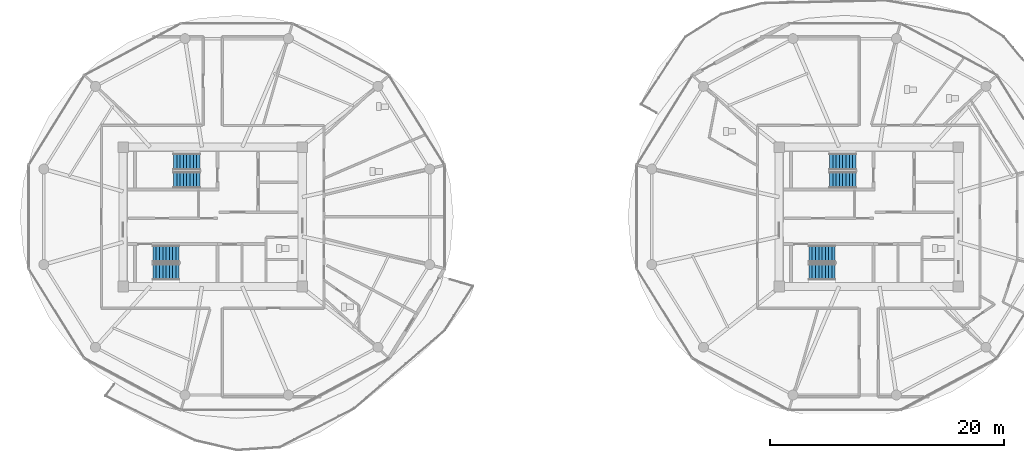
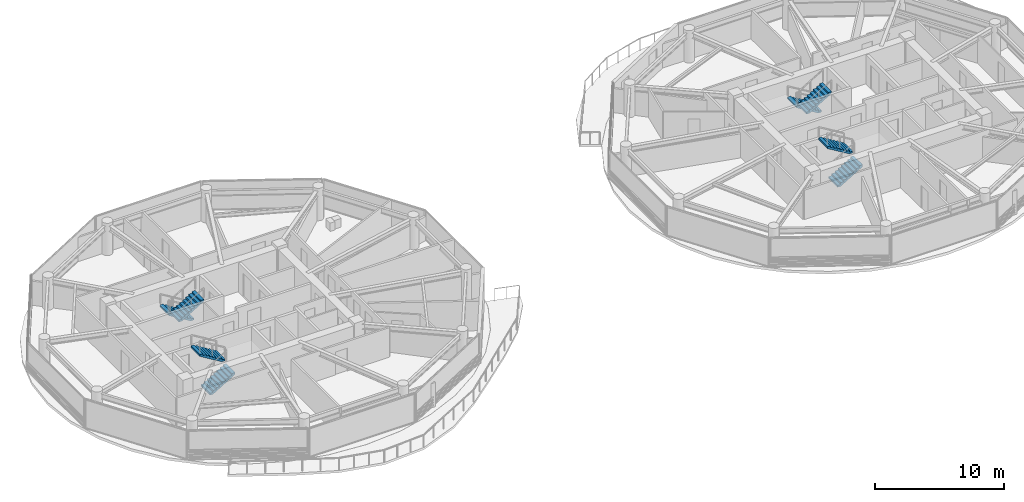
# One storey, part 18 of 24: 8 stair flights, 4 elements without a shape of their own.
"""IFC4 building model written with IfcOpenShell, lengths in metres."""

from ifc_helpers import new_model, si_unit, direction, frame, origin, place, context, subcontext, project, spatial, polyline, outline, extrude, material, type_object, element, aggregate, save


model = new_model("IFC4")

# Units and contexts
model_context = context("Model", 3, precision=1e-05, world=origin(), true_north=direction((0.0, 1.0)))
body_context = subcontext(model_context, "Body", "Model", "MODEL_VIEW")
ifc_project = project(units=[si_unit("LENGTHUNIT", "METRE"), si_unit("AREAUNIT", "SQUARE_METRE"), si_unit("VOLUMEUNIT", "CUBIC_METRE"), si_unit("PLANEANGLEUNIT", "RADIAN"), si_unit("MASSUNIT", "GRAM", prefix="KILO")], contexts=[model_context])

# Site, building, storey
site_placement = place(None, origin())
site = spatial("IfcSite", under=ifc_project, at=site_placement, CompositionType="ELEMENT")
building_placement = place(site_placement, origin())
building = spatial("IfcBuilding", under=site, at=building_placement, Name="Norrkilde Senior Care Towers", CompositionType="ELEMENT")
storey_placement = place(building_placement, frame((0.0, 0.0, 114.550048828125)))
storey = spatial("IfcBuildingStorey", under=building, at=storey_placement, Name="L35", CompositionType="ELEMENT", Elevation=114.550048828125)

# Stair, stair flights
ifc_material = material(Name="Concrete C45/55", Category="concrete")
stair_type = type_object("IfcStairType", Name="Core Protected Dogleg Stair Typical 3050", PredefinedType="HALF_TURN_STAIR", material=ifc_material)
stair_1_placement = place(storey_placement, origin())
stair_1 = element("IfcStair", 1, at=stair_1_placement, inside=storey, type_object=stair_type, Name="L35 Protected Core Stair W1", PredefinedType="HALF_TURN_STAIR")
stair_flight_type = type_object("IfcStairFlightType", Name="Core Protected Dogleg Stair Typical 3050 Flight", PredefinedType="STRAIGHT", material=ifc_material)
stair_flight_1_placement = place(storey_placement, frame((-29.10009765625, 4.699951171875, 0.0), z_axis=(0.0, 0.0, 1.0), x_axis=(-1.0, 0.0, 0.0)))
stair_flight_1 = element("IfcStairFlight", 2, at=stair_flight_1_placement, type_object=stair_flight_type, Name="ST-W1 flight 1", NumberOfRisers=9, NumberOfTreads=8, PredefinedType="STRAIGHT", RiserHeight=0.169444444, TreadLength=0.28, context=body_context, shape_type="SweptSolid", body=[
    extrude(outline(polyline([(0.0, 0.0), (0.0, 0.16943359375), (0.280029296875, 0.16943359375), (0.280029296875, 0.3388671875), (0.56005859375, 0.3388671875), (0.56005859375, 0.50830078125), (0.840087890625, 0.50830078125), (0.840087890625, 0.677734375), (1.1201171875, 0.677734375), (1.1201171875, 0.84716796875), (1.39990234375, 0.84716796875), (1.39990234375, 1.0166015625), (1.679931640625, 1.0166015625), (1.679931640625, 1.18603515625), (1.9599609375, 1.18603515625), (1.9599609375, 1.35546875), (2.239990234375, 1.35546875), (2.239990234375, 1.52490234375), (2.239990234375, 1.180419921875), (0.28955078125, 0.0), (0.0, 0.0)])), frame((0.0, 0.699951171875, 0.0), z_axis=(0.0, -1.0, 0.0), x_axis=(1.0, 0.0, 0.0)), (0.0, 0.0, 1.0), 1.39990234375),
])
stair_flight_2_placement = place(storey_placement, frame((-31.340087890625, 3.14990234375, 1.52490234375), z_axis=(0.0, 0.0, 1.0), x_axis=(1.0, 0.0, 0.0)))
stair_flight_2 = element("IfcStairFlight", 3, at=stair_flight_2_placement, type_object=stair_flight_type, Name="ST-W1 flight 2", NumberOfRisers=9, NumberOfTreads=8, PredefinedType="STRAIGHT", RiserHeight=0.169444444, TreadLength=0.28, context=body_context, shape_type="SweptSolid", body=[
    extrude(outline(polyline([(0.0, 0.0), (0.0, 0.16943359375), (0.280029296875, 0.16943359375), (0.280029296875, 0.3388671875), (0.56005859375, 0.3388671875), (0.56005859375, 0.50830078125), (0.840087890625, 0.50830078125), (0.840087890625, 0.677734375), (1.1201171875, 0.677734375), (1.1201171875, 0.84716796875), (1.39990234375, 0.84716796875), (1.39990234375, 1.0166015625), (1.679931640625, 1.0166015625), (1.679931640625, 1.18603515625), (1.9599609375, 1.18603515625), (1.9599609375, 1.35546875), (2.239990234375, 1.35546875), (2.239990234375, 1.52490234375), (2.239990234375, 1.180419921875), (0.28955078125, 0.0), (0.0, 0.0)])), frame((0.0, 0.699951171875, 0.0), z_axis=(0.0, -1.0, 0.0), x_axis=(1.0, 0.0, 0.0)), (0.0, 0.0, 1.0), 1.39990234375),
])
aggregate(stair_1, [stair_flight_1, stair_flight_2])

stair_2_placement = place(storey_placement, origin())
stair_2 = element("IfcStair", 4, at=stair_2_placement, inside=storey, type_object=stair_type, Name="L35 Protected Core Stair W2", PredefinedType="HALF_TURN_STAIR")
stair_flight_3_placement = place(storey_placement, frame((-33.10009765625, -4.699951171875, 0.0), z_axis=(0.0, 0.0, 1.0), x_axis=(1.0, 0.0, 0.0)))
stair_flight_3 = element("IfcStairFlight", 5, at=stair_flight_3_placement, type_object=stair_flight_type, Name="ST-W2 flight 1", NumberOfRisers=9, NumberOfTreads=8, PredefinedType="STRAIGHT", RiserHeight=0.169444444, TreadLength=0.28, context=body_context, shape_type="SweptSolid", body=[
    extrude(outline(polyline([(0.0, 0.0), (0.0, 0.16943359375), (0.280029296875, 0.16943359375), (0.280029296875, 0.3388671875), (0.56005859375, 0.3388671875), (0.56005859375, 0.50830078125), (0.840087890625, 0.50830078125), (0.840087890625, 0.677734375), (1.1201171875, 0.677734375), (1.1201171875, 0.84716796875), (1.39990234375, 0.84716796875), (1.39990234375, 1.0166015625), (1.679931640625, 1.0166015625), (1.679931640625, 1.18603515625), (1.9599609375, 1.18603515625), (1.9599609375, 1.35546875), (2.239990234375, 1.35546875), (2.239990234375, 1.52490234375), (2.239990234375, 1.180419921875), (0.28955078125, 0.0), (0.0, 0.0)])), frame((0.0, 0.699951171875, 0.0), z_axis=(0.0, -1.0, 0.0), x_axis=(1.0, 0.0, 0.0)), (0.0, 0.0, 1.0), 1.39990234375),
])
stair_flight_4_placement = place(storey_placement, frame((-30.860107421875, -3.14990234375, 1.52490234375), z_axis=(0.0, 0.0, 1.0), x_axis=(-1.0, 0.0, 0.0)))
stair_flight_4 = element("IfcStairFlight", 6, at=stair_flight_4_placement, type_object=stair_flight_type, Name="ST-W2 flight 2", NumberOfRisers=9, NumberOfTreads=8, PredefinedType="STRAIGHT", RiserHeight=0.169444444, TreadLength=0.28, context=body_context, shape_type="SweptSolid", body=[
    extrude(outline(polyline([(0.0, 0.0), (0.0, 0.16943359375), (0.280029296875, 0.16943359375), (0.280029296875, 0.3388671875), (0.56005859375, 0.3388671875), (0.56005859375, 0.50830078125), (0.840087890625, 0.50830078125), (0.840087890625, 0.677734375), (1.1201171875, 0.677734375), (1.1201171875, 0.84716796875), (1.39990234375, 0.84716796875), (1.39990234375, 1.0166015625), (1.679931640625, 1.0166015625), (1.679931640625, 1.18603515625), (1.9599609375, 1.18603515625), (1.9599609375, 1.35546875), (2.239990234375, 1.35546875), (2.239990234375, 1.52490234375), (2.239990234375, 1.180419921875), (0.28955078125, 0.0), (0.0, 0.0)])), frame((0.0, 0.699951171875, 0.0), z_axis=(0.0, -1.0, 0.0), x_axis=(1.0, 0.0, 0.0)), (0.0, 0.0, 1.0), 1.39990234375),
])
aggregate(stair_2, [stair_flight_3, stair_flight_4])

stair_3_placement = place(storey_placement, origin())
stair_3 = element("IfcStair", 7, at=stair_3_placement, inside=storey, type_object=stair_type, Name="L35 Protected Core Stair E1", PredefinedType="HALF_TURN_STAIR")
stair_flight_5_placement = place(storey_placement, frame((26.89990234375, 4.699951171875, 0.0), z_axis=(0.0, 0.0, 1.0), x_axis=(-1.0, 0.0, 0.0)))
stair_flight_5 = element("IfcStairFlight", 8, at=stair_flight_5_placement, type_object=stair_flight_type, Name="ST-E1 flight 1", NumberOfRisers=9, NumberOfTreads=8, PredefinedType="STRAIGHT", RiserHeight=0.169444444, TreadLength=0.28, context=body_context, shape_type="SweptSolid", body=[
    extrude(outline(polyline([(0.0, 0.0), (0.0, 0.16943359375), (0.280029296875, 0.16943359375), (0.280029296875, 0.3388671875), (0.56005859375, 0.3388671875), (0.56005859375, 0.50830078125), (0.840087890625, 0.50830078125), (0.840087890625, 0.677734375), (1.1201171875, 0.677734375), (1.1201171875, 0.84716796875), (1.39990234375, 0.84716796875), (1.39990234375, 1.0166015625), (1.679931640625, 1.0166015625), (1.679931640625, 1.18603515625), (1.9599609375, 1.18603515625), (1.9599609375, 1.35546875), (2.239990234375, 1.35546875), (2.239990234375, 1.52490234375), (2.239990234375, 1.180419921875), (0.28955078125, 0.0), (0.0, 0.0)])), frame((0.0, 0.699951171875, 0.0), z_axis=(0.0, -1.0, 0.0), x_axis=(1.0, 0.0, 0.0)), (0.0, 0.0, 1.0), 1.39990234375),
])
stair_flight_6_placement = place(storey_placement, frame((24.659912109375, 3.14990234375, 1.52490234375), z_axis=(0.0, 0.0, 1.0), x_axis=(1.0, 0.0, 0.0)))
stair_flight_6 = element("IfcStairFlight", 9, at=stair_flight_6_placement, type_object=stair_flight_type, Name="ST-E1 flight 2", NumberOfRisers=9, NumberOfTreads=8, PredefinedType="STRAIGHT", RiserHeight=0.169444444, TreadLength=0.28, context=body_context, shape_type="SweptSolid", body=[
    extrude(outline(polyline([(0.0, 0.0), (0.0, 0.16943359375), (0.280029296875, 0.16943359375), (0.280029296875, 0.3388671875), (0.56005859375, 0.3388671875), (0.56005859375, 0.50830078125), (0.840087890625, 0.50830078125), (0.840087890625, 0.677734375), (1.1201171875, 0.677734375), (1.1201171875, 0.84716796875), (1.39990234375, 0.84716796875), (1.39990234375, 1.0166015625), (1.679931640625, 1.0166015625), (1.679931640625, 1.18603515625), (1.9599609375, 1.18603515625), (1.9599609375, 1.35546875), (2.239990234375, 1.35546875), (2.239990234375, 1.52490234375), (2.239990234375, 1.180419921875), (0.28955078125, 0.0), (0.0, 0.0)])), frame((0.0, 0.699951171875, 0.0), z_axis=(0.0, -1.0, 0.0), x_axis=(1.0, 0.0, 0.0)), (0.0, 0.0, 1.0), 1.39990234375),
])
aggregate(stair_3, [stair_flight_5, stair_flight_6])

stair_4_placement = place(storey_placement, origin())
stair_4 = element("IfcStair", 10, at=stair_4_placement, inside=storey, type_object=stair_type, Name="L35 Protected Core Stair E2", PredefinedType="HALF_TURN_STAIR")
stair_flight_7_placement = place(storey_placement, frame((22.89990234375, -4.699951171875, 0.0), z_axis=(0.0, 0.0, 1.0), x_axis=(1.0, 0.0, 0.0)))
stair_flight_7 = element("IfcStairFlight", 11, at=stair_flight_7_placement, type_object=stair_flight_type, Name="ST-E2 flight 1", NumberOfRisers=9, NumberOfTreads=8, PredefinedType="STRAIGHT", RiserHeight=0.169444444, TreadLength=0.28, context=body_context, shape_type="SweptSolid", body=[
    extrude(outline(polyline([(0.0, 0.0), (0.0, 0.16943359375), (0.280029296875, 0.16943359375), (0.280029296875, 0.3388671875), (0.56005859375, 0.3388671875), (0.56005859375, 0.50830078125), (0.840087890625, 0.50830078125), (0.840087890625, 0.677734375), (1.1201171875, 0.677734375), (1.1201171875, 0.84716796875), (1.39990234375, 0.84716796875), (1.39990234375, 1.0166015625), (1.679931640625, 1.0166015625), (1.679931640625, 1.18603515625), (1.9599609375, 1.18603515625), (1.9599609375, 1.35546875), (2.239990234375, 1.35546875), (2.239990234375, 1.52490234375), (2.239990234375, 1.180419921875), (0.28955078125, 0.0), (0.0, 0.0)])), frame((0.0, 0.699951171875, 0.0), z_axis=(0.0, -1.0, 0.0), x_axis=(1.0, 0.0, 0.0)), (0.0, 0.0, 1.0), 1.39990234375),
])
stair_flight_8_placement = place(storey_placement, frame((25.139892578125, -3.14990234375, 1.52490234375), z_axis=(0.0, 0.0, 1.0), x_axis=(-1.0, 0.0, 0.0)))
stair_flight_8 = element("IfcStairFlight", 12, at=stair_flight_8_placement, type_object=stair_flight_type, Name="ST-E2 flight 2", NumberOfRisers=9, NumberOfTreads=8, PredefinedType="STRAIGHT", RiserHeight=0.169444444, TreadLength=0.28, context=body_context, shape_type="SweptSolid", body=[
    extrude(outline(polyline([(0.0, 0.0), (0.0, 0.16943359375), (0.280029296875, 0.16943359375), (0.280029296875, 0.3388671875), (0.56005859375, 0.3388671875), (0.56005859375, 0.50830078125), (0.840087890625, 0.50830078125), (0.840087890625, 0.677734375), (1.1201171875, 0.677734375), (1.1201171875, 0.84716796875), (1.39990234375, 0.84716796875), (1.39990234375, 1.0166015625), (1.679931640625, 1.0166015625), (1.679931640625, 1.18603515625), (1.9599609375, 1.18603515625), (1.9599609375, 1.35546875), (2.239990234375, 1.35546875), (2.239990234375, 1.52490234375), (2.239990234375, 1.180419921875), (0.28955078125, 0.0), (0.0, 0.0)])), frame((0.0, 0.699951171875, 0.0), z_axis=(0.0, -1.0, 0.0), x_axis=(1.0, 0.0, 0.0)), (0.0, 0.0, 1.0), 1.39990234375),
])
aggregate(stair_4, [stair_flight_7, stair_flight_8])

save(model, "model.ifc")
